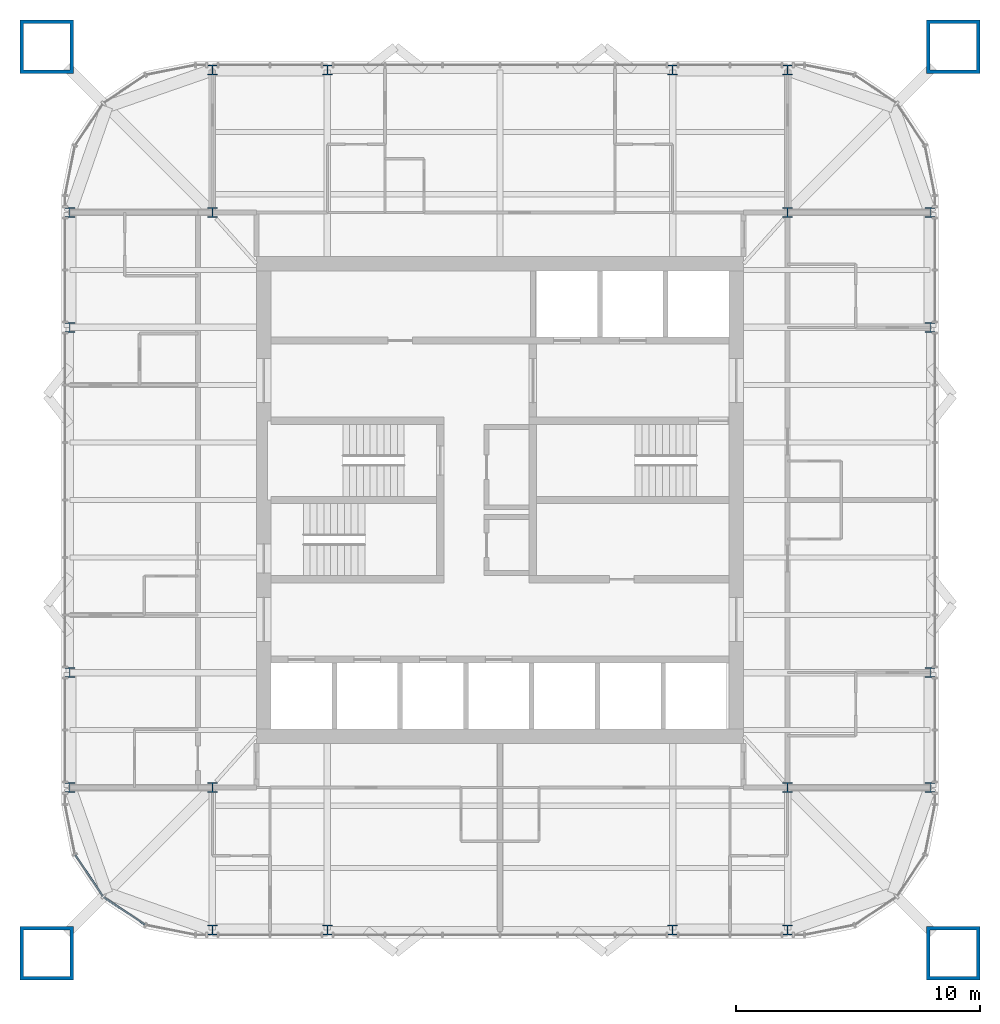
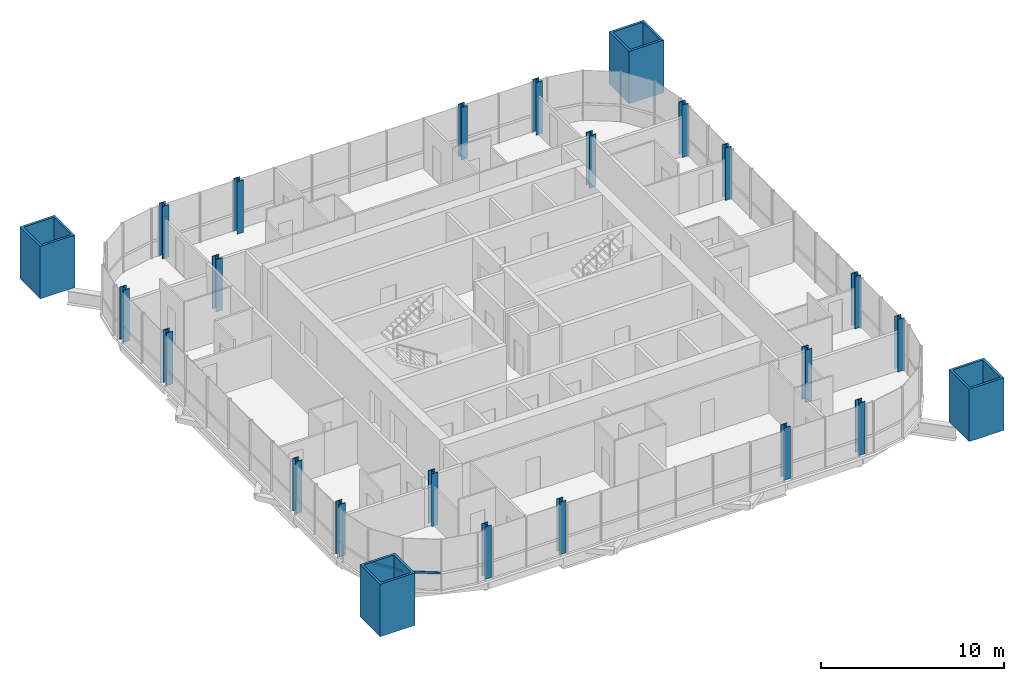
# One storey, part 1 of 17: 24 columns, 2 members, 1 element without a shape of its own.
"""IFC4 building model written with IfcOpenShell, lengths in metres."""

from ifc_helpers import new_model, si_unit, direction, frame, origin, origin_2d, place, context, subcontext, project, spatial, rectangle, hollow_rectangle, i_section, extrude, material, material_profile, profile_set, type_object, element, aggregate, save


model = new_model("IFC4")

# Units and contexts
model_context = context("Model", 3, precision=1e-05, world=origin(), true_north=direction((0.0, 1.0)))
body_context = subcontext(model_context, "Body", "Model", "MODEL_VIEW")
ifc_project = project(units=[si_unit("LENGTHUNIT", "METRE"), si_unit("AREAUNIT", "SQUARE_METRE"), si_unit("VOLUMEUNIT", "CUBIC_METRE"), si_unit("PLANEANGLEUNIT", "RADIAN"), si_unit("MASSUNIT", "GRAM", prefix="KILO")], contexts=[model_context])

# Site, building, storey
site_placement = place(None, origin())
site = spatial("IfcSite", under=ifc_project, at=site_placement, CompositionType="ELEMENT")
building_placement = place(site_placement, origin())
building = spatial("IfcBuilding", under=site, at=building_placement, Name="Turquesa Mirador Hotel Tower", CompositionType="ELEMENT")
storey_placement = place(building_placement, frame((0.0, 0.0, 244.199951171875)))
storey = spatial("IfcBuildingStorey", under=building, at=storey_placement, Name="L66", CompositionType="ELEMENT", Elevation=244.199951171875)

# Columns
ifc_material_1 = material(Name="Steel ASTM A992 Grade 50", Category="steel")
ifc_material_profile_1 = material_profile(ifc_material_1, i_section(OverallWidth=0.398681640625, OverallDepth=0.393798828125, WebThickness=0.022705078125, FlangeThickness=0.03662109375, at=origin_2d()), Name="W14X193")
ifc_profile_set_1 = profile_set([ifc_material_profile_1], Name="Steel ASTM A992 Grade 50")
column_type_1 = type_object("IfcColumnType", Name="COLUMN W14X193", PredefinedType="COLUMN", material=ifc_profile_set_1)
for number, where, z_axis, x_axis, name in (
    (1, (37.35009765625, 33.199951171875, 0.0), (0.0, 0.0, 1.0), (1.0, 0.0, 0.0), "COL-L66-P--17.65--11.80"),
    (2, (37.35009765625, 37.919921875, 0.0), (0.0, 0.0, 1.0), (1.0, 0.0, 0.0), "COL-L66-P--17.65--7.08"),
    (3, (37.35009765625, 52.080078125, 0.0), (0.0, 0.0, 1.0), (1.0, 0.0, 0.0), "COL-L66-P--17.65-+7.08"),
    (4, (37.35009765625, 56.800048828125, 0.0), (0.0, 0.0, 1.0), (1.0, 0.0, 0.0), "COL-L66-P--17.65-+11.80"),
    (5, (43.199951171875, 27.35009765625, 0.0), (0.0, 0.0, 1.0), (1.0, 0.0, 0.0), "COL-L66-P--11.80--17.65"),
    (6, (43.199951171875, 62.64990234375, 0.0), (0.0, 0.0, 1.0), (1.0, 0.0, 0.0), "COL-L66-P--11.80-+17.65"),
    (7, (47.919921875, 27.35009765625, 0.0), (0.0, 0.0, 1.0), (1.0, 0.0, 0.0), "COL-L66-P--7.08--17.65"),
    (8, (47.919921875, 62.64990234375, 0.0), (0.0, 0.0, 1.0), (1.0, 0.0, 0.0), "COL-L66-P--7.08-+17.65"),
    (9, (62.080078125, 27.35009765625, 0.0), (0.0, 0.0, 1.0), (1.0, 0.0, 0.0), "COL-L66-P-+7.08--17.65"),
    (10, (62.080078125, 62.64990234375, 0.0), (0.0, 0.0, 1.0), (1.0, 0.0, 0.0), "COL-L66-P-+7.08-+17.65"),
    (11, (66.800048828125, 27.35009765625, 0.0), (0.0, 0.0, 1.0), (1.0, 0.0, 0.0), "COL-L66-P-+11.80--17.65"),
    (12, (66.800048828125, 62.64990234375, 0.0), (0.0, 0.0, 1.0), (1.0, 0.0, 0.0), "COL-L66-P-+11.80-+17.65"),
    (13, (72.64990234375, 33.199951171875, 0.0), (0.0, 0.0, 1.0), (1.0, 0.0, 0.0), "COL-L66-P-+17.65--11.80"),
    (14, (72.64990234375, 37.919921875, 0.0), (0.0, 0.0, 1.0), (1.0, 0.0, 0.0), "COL-L66-P-+17.65--7.08"),
    (15, (72.64990234375, 52.080078125, 0.0), (0.0, 0.0, 1.0), (1.0, 0.0, 0.0), "COL-L66-P-+17.65-+7.08"),
    (16, (72.64990234375, 56.800048828125, 0.0), (0.0, 0.0, 1.0), (1.0, 0.0, 0.0), "COL-L66-P-+17.65-+11.80"),
):
    element("IfcColumn", number, at=place(storey_placement, frame(where, z_axis=z_axis, x_axis=x_axis)), inside=storey, type_object=column_type_1, Name=name, PredefinedType="COLUMN", context=body_context, shape_type="SweptSolid", body=[
        extrude(i_section(OverallWidth=0.398681640625, OverallDepth=0.393798828125, WebThickness=0.022705078125, FlangeThickness=0.03662109375, at=origin_2d()), origin(), (0.0, 0.0, 1.0), 3.5),
    ])
ifc_material_2 = material(Name="Steel ASTM A992 Grade 50", Category="steel")
ifc_material_profile_2 = material_profile(ifc_material_2, i_section(OverallWidth=0.406494140625, OverallDepth=0.41650390625, WebThickness=0.030029296875, FlangeThickness=0.048095703125, at=origin_2d()), Name="W14X257")
ifc_profile_set_2 = profile_set([ifc_material_profile_2], Name="Steel ASTM A992 Grade 50")
column_type_2 = type_object("IfcColumnType", Name="COLUMN W14X257", PredefinedType="COLUMN", material=ifc_profile_set_2)
for number, where, z_axis, x_axis, name in (
    (17, (43.199951171875, 33.199951171875, 0.0), (0.0, 0.0, 1.0), (1.0, 0.0, 0.0), "COL-L66-K--11.80--11.80"),
    (18, (43.199951171875, 56.800048828125, 0.0), (0.0, 0.0, 1.0), (1.0, 0.0, 0.0), "COL-L66-K--11.80-+11.80"),
    (19, (66.800048828125, 33.199951171875, 0.0), (0.0, 0.0, 1.0), (1.0, 0.0, 0.0), "COL-L66-K-+11.80--11.80"),
    (20, (66.800048828125, 56.800048828125, 0.0), (0.0, 0.0, 1.0), (1.0, 0.0, 0.0), "COL-L66-K-+11.80-+11.80"),
):
    element("IfcColumn", number, at=place(storey_placement, frame(where, z_axis=z_axis, x_axis=x_axis)), inside=storey, type_object=column_type_2, Name=name, PredefinedType="COLUMN", context=body_context, shape_type="SweptSolid", body=[
        extrude(i_section(OverallWidth=0.406494140625, OverallDepth=0.41650390625, WebThickness=0.030029296875, FlangeThickness=0.048095703125, at=origin_2d()), origin(), (0.0, 0.0, 1.0), 3.5),
    ])
ifc_material_3 = material(Name="Steel ASTM A514 Grade Q", Category="steel")
ifc_material_profile_3 = material_profile(ifc_material_3, hollow_rectangle(XDim=2.199951171875, YDim=2.199951171875, WallThickness=0.14990234375, at=origin_2d()), Name="BOX2200X2200X150")
ifc_profile_set_3 = profile_set([ifc_material_profile_3], Name="Steel ASTM A514 Grade Q")
column_type_3 = type_object("IfcColumnType", Name="MEGA COLUMN BOX2200X2200X150", PredefinedType="COLUMN", material=ifc_profile_set_3)
for number, where, z_axis, x_axis, name in (
    (21, (73.60009765625, 63.60009765625, 0.0), (0.0, 0.0, 1.0), (1.0, 0.0, 0.0), "Mega column M1"),
    (22, (36.39990234375, 63.60009765625, 0.0), (0.0, 0.0, 1.0), (1.0, 0.0, 0.0), "Mega column M2"),
    (23, (36.39990234375, 26.39990234375, 0.0), (0.0, 0.0, 1.0), (1.0, 0.0, 0.0), "Mega column M3"),
    (24, (73.60009765625, 26.39990234375, 0.0), (0.0, 0.0, 1.0), (1.0, 0.0, 0.0), "Mega column M4"),
):
    element("IfcColumn", number, at=place(storey_placement, frame(where, z_axis=z_axis, x_axis=x_axis)), inside=storey, type_object=column_type_3, Name=name, PredefinedType="COLUMN", context=body_context, shape_type="SweptSolid", body=[
        extrude(hollow_rectangle(XDim=2.199951171875, YDim=2.199951171875, WallThickness=0.14990234375, at=origin_2d()), origin(), (0.0, 0.0, 1.0), 3.5),
    ])

# Curtain wall, members
ifc_material_4 = material(Name="Aluminium extrusion", Category="aluminium")
curtain_wall_type = type_object("IfcCurtainWallType", Name="CW-4 SUITE FRITTED CURTAIN WALL", PredefinedType="USERDEFINED", material=ifc_material_4)
curtain_wall_placement = place(storey_placement, origin())
curtain_wall = element("IfcCurtainWall", 25, at=curtain_wall_placement, inside=storey, type_object=curtain_wall_type, Name="CW-4 SUITE FRITTED CURTAIN WALL L66", ObjectType="CURTAIN WALL", PredefinedType="USERDEFINED")
ifc_material_5 = material(Name="Aluminium extrusion", Category="aluminium")
ifc_material_profile_4 = material_profile(ifc_material_5, rectangle(XDim=0.06494140625, YDim=0.14990234375, at=origin_2d()), Name="TRANSOM 65X150")
ifc_profile_set_4 = profile_set([ifc_material_profile_4], Name="Aluminium extrusion")
member_type = type_object("IfcMemberType", Name="CW TRANSOM 65X150", PredefinedType="USERDEFINED", material=ifc_profile_set_4)
member_1_placement = place(storey_placement, frame((37.5751953125, 30.425537109375, 1.10009765625), z_axis=(0.555619095835, -0.831436961136, 0.0), x_axis=(0.831436961136, 0.555619095835, 0.0)))
member_1 = element("IfcMember", 26, at=member_1_placement, type_object=member_type, Name="Transom", ObjectType="TRANSOM", PredefinedType="USERDEFINED", context=body_context, shape_type="SweptSolid", body=[
    extrude(rectangle(XDim=0.06494140625, YDim=0.14990234375, at=origin_2d()), origin(), (0.0, 0.0, 1.0), 2.0224609375),
])
member_2_placement = place(storey_placement, frame((38.743896484375, 28.698974609375, 1.10009765625), z_axis=(0.831436961136, -0.555619095835, 0.0), x_axis=(0.555619095835, 0.831436961136, 0.0)))
member_2 = element("IfcMember", 27, at=member_2_placement, type_object=member_type, Name="Transom", ObjectType="TRANSOM", PredefinedType="USERDEFINED", context=body_context, shape_type="SweptSolid", body=[
    extrude(rectangle(XDim=0.06494140625, YDim=0.14990234375, at=origin_2d()), origin(), (0.0, 0.0, 1.0), 2.0224609375),
])
aggregate(curtain_wall, [member_1, member_2])

save(model, "model.ifc")
